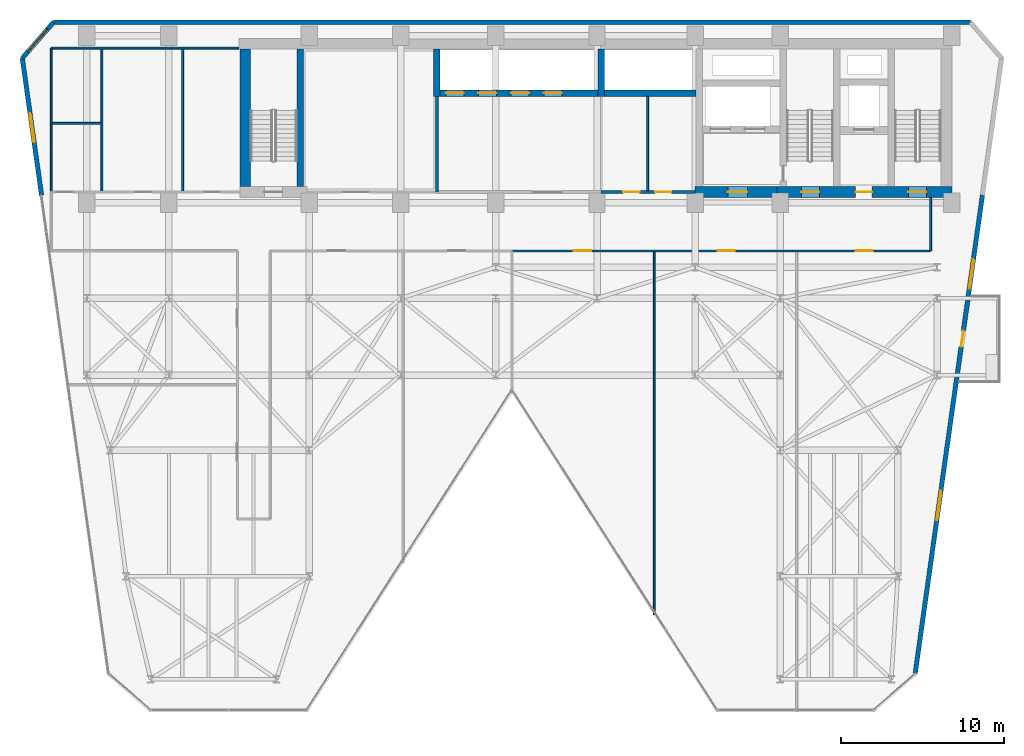
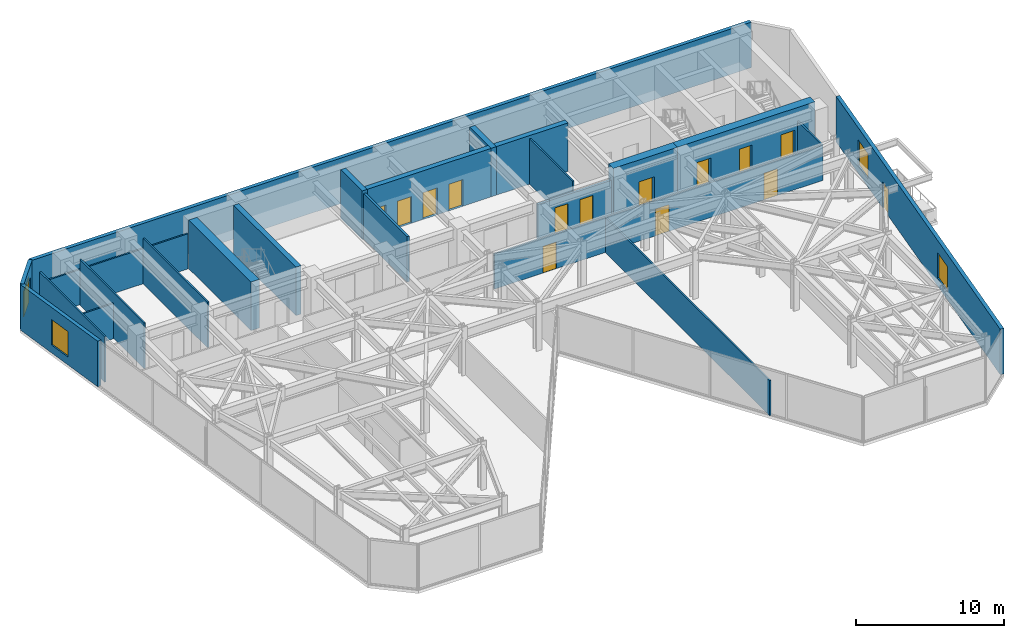
# One storey, part 22 of 26: 23 walls, 14 doors, 4 windows, 18 openings.
"""IFC4 building model written with IfcOpenShell, lengths in metres."""

from ifc_helpers import new_model, si_unit, direction, frame, frame_2d, origin, place, context, subcontext, project, spatial, rectangle, extrude, material, layer, layer_set, type_object, element, fill, save


model = new_model("IFC4")

# Units and contexts
model_context = context("Model", 3, precision=1e-05, world=origin(), true_north=direction((0.0, 1.0)))
body_context = subcontext(model_context, "Body", "Model", "MODEL_VIEW")
ifc_project = project(units=[si_unit("LENGTHUNIT", "METRE"), si_unit("AREAUNIT", "SQUARE_METRE"), si_unit("VOLUMEUNIT", "CUBIC_METRE"), si_unit("PLANEANGLEUNIT", "RADIAN"), si_unit("MASSUNIT", "GRAM", prefix="KILO")], contexts=[model_context])

# Site, building, storey
site_placement = place(None, origin())
site = spatial("IfcSite", under=ifc_project, at=site_placement, CompositionType="ELEMENT")
building_placement = place(site_placement, origin())
building = spatial("IfcBuilding", under=site, at=building_placement, Name="Kravanh Interchange Tower", CompositionType="ELEMENT")
storey_placement = place(building_placement, frame((0.0, 0.0, 112.0)))
storey = spatial("IfcBuildingStorey", under=building, at=storey_placement, Name="L26", CompositionType="ELEMENT", Elevation=112.0)

# Walls
ifc_material_1 = material(Name="Double Acoustic Gypsum Board and Mineral Wool")
ifc_layer_1 = layer(ifc_material_1, 0.1201171875)
ifc_layer_set_1 = layer_set([ifc_layer_1], Name="Acoustic Office Drywall Partition 120mm")
wall_type_1 = type_object("IfcWallType", Name="Acoustic Office Drywall Partition 120mm", PredefinedType="PARTITIONING", material=ifc_layer_set_1)
wall_1_placement = place(storey_placement, frame((47.89990234375, 38.068115234375, 0.0), z_axis=(0.0, 0.0, 1.0), x_axis=(0.0, 1.0, 0.0)))
element("IfcWall", 1, at=wall_1_placement, inside=storey, type_object=wall_type_1, Name="L26 Interior Partition 2", PredefinedType="PARTITIONING", context=body_context, shape_type="SweptSolid", body=[
    extrude(rectangle(XDim=5.77392578125, YDim=0.1201171875, at=frame_2d((2.886962890625, 0.0))), origin(), (0.0, 0.0, 1.0), 3.75),
])
wall_2_placement = place(storey_placement, frame((11.419921875, 38.0, 0.0), z_axis=(0.0, 0.0, 1.0), x_axis=(0.0, 1.0, 0.0)))
element("IfcWall", 2, at=wall_2_placement, inside=storey, type_object=wall_type_1, Name="L26 Restroom West Enclosure 7", PredefinedType="PARTITIONING", context=body_context, shape_type="SweptSolid", body=[
    extrude(rectangle(XDim=8.800048828125, YDim=0.1201171875, at=frame_2d((4.39990234375, 0.0))), origin(), (0.0, 0.0, 1.0), 3.75),
])
wall_3_placement = place(storey_placement, frame((11.419921875, 46.800048828125, 0.0), z_axis=(0.0, 0.0, 1.0), x_axis=(1.0, 0.0, 0.0)))
element("IfcWall", 3, at=wall_3_placement, inside=storey, type_object=wall_type_1, Name="L26 Restroom North Enclosure 8", PredefinedType="PARTITIONING", context=body_context, shape_type="SweptSolid", body=[
    extrude(rectangle(XDim=11.47998046875, YDim=0.1201171875, at=frame_2d((5.739990234375, 0.0))), origin(), (0.0, 0.0, 1.0), 2.89404296875),
])
for number, where, z_axis, x_axis, name in (
    (4, (14.52001953125, 38.068115234375, 0.0), (0.0, 0.0, 1.0), (0.0, 1.0, 0.0), "L26 Interior Partition 9"),
    (5, (19.449951171875, 38.068115234375, 0.0), (0.0, 0.0, 1.0), (0.0, 1.0, 0.0), "L26 Interior Partition 10"),
):
    element("IfcWall", number, at=place(storey_placement, frame(where, z_axis=z_axis, x_axis=x_axis)), inside=storey, type_object=wall_type_1, Name=name, PredefinedType="PARTITIONING", context=body_context, shape_type="SweptSolid", body=[
        extrude(rectangle(XDim=8.663818359375, YDim=0.1201171875, at=frame_2d((4.33203125, 0.0))), origin(), (0.0, 0.0, 1.0), 3.75),
    ])
wall_4_placement = place(storey_placement, frame((11.488037109375, 42.199951171875, 0.0), z_axis=(0.0, 0.0, 1.0), x_axis=(1.0, 0.0, 0.0)))
element("IfcWall", 6, at=wall_4_placement, inside=storey, type_object=wall_type_1, Name="L26 Interior Partition 11", PredefinedType="PARTITIONING", context=body_context, shape_type="SweptSolid", body=[
    extrude(rectangle(XDim=2.9638671875, YDim=0.1201171875, at=frame_2d((1.48193359375, 0.0))), origin(), (0.0, 0.0, 1.0), 2.89404296875),
])

# Wall, openings, doors
wall_5_placement = place(storey_placement, frame((39.60009765625, 34.39990234375, 0.0), z_axis=(0.0, 0.0, 1.0), x_axis=(1.0, 0.0, 0.0)))
wall_5 = element("IfcWall", 7, at=wall_5_placement, inside=storey, type_object=wall_type_1, Name="L26 Interior Partition 14", PredefinedType="PARTITIONING", context=body_context, shape_type="SweptSolid", body=[
    extrude(rectangle(XDim=25.599853515625, YDim=0.1201171875, at=frame_2d((12.7998046875, 0.0))), origin(), (0.0, 0.0, 1.0), 2.89404296875),
])
opening_1_placement = place(wall_5_placement, frame((3.784912109375, 0.0, 0.0)))
opening_1 = element("IfcOpeningElement", 8, at=opening_1_placement, cuts=wall_5, Name="Opening D-105", PredefinedType="OPENING", context=body_context, shape_type="SweptSolid", body=[
    extrude(rectangle(XDim=1.050048828125, YDim=2.199951171875, at=frame_2d((0.52490234375, 1.10009765625))), frame((0.0, 0.070068359375, 0.0), z_axis=(0.0, -1.0, 0.0), x_axis=(1.0, 0.0, 0.0)), (0.0, 0.0, 1.0), 0.14013671875),
])
opening_2_placement = place(wall_5_placement, frame((12.5703125, 0.0, 0.0)))
opening_2 = element("IfcOpeningElement", 9, at=opening_2_placement, cuts=wall_5, Name="Opening D-105", PredefinedType="OPENING", context=body_context, shape_type="SweptSolid", body=[
    extrude(rectangle(XDim=1.050048828125, YDim=2.199951171875, at=frame_2d((0.52490234375, 1.10009765625))), frame((0.0, 0.070068359375, 0.0), z_axis=(0.0, -1.0, 0.0), x_axis=(1.0, 0.0, 0.0)), (0.0, 0.0, 1.0), 0.14013671875),
])
opening_3_placement = place(wall_5_placement, frame((21.02001953125, 0.0, 0.0)))
opening_3 = element("IfcOpeningElement", 10, at=opening_3_placement, cuts=wall_5, Name="Opening D-105", PredefinedType="OPENING", context=body_context, shape_type="SweptSolid", body=[
    extrude(rectangle(XDim=1.050048828125, YDim=2.199951171875, at=frame_2d((0.52490234375, 1.10009765625))), frame((0.0, 0.070068359375, 0.0), z_axis=(0.0, -1.0, 0.0), x_axis=(1.0, 0.0, 0.0)), (0.0, 0.0, 1.0), 0.14013671875),
])
ifc_material_2 = material(Name="Acoustic Glazed Oak and Aluminium", Category="aluminium")
door_type_1 = type_object("IfcDoorType", Name="Office Workplace Door 1050x2200", OperationType="NOTDEFINED", PredefinedType="DOOR", material=ifc_material_2)
door_1_placement = place(opening_1_placement, origin())
door_1 = element("IfcDoor", 11, at=door_1_placement, inside=storey, type_object=door_type_1, Name="L26 Panorama Sky Lounge Door", OperationType="SINGLE_SWING_LEFT", OverallHeight=2.199951171875, OverallWidth=1.050048828125, PredefinedType="DOOR", context=body_context, shape_type="SweptSolid", body=[
    extrude(rectangle(XDim=1.050048828125, YDim=2.199951171875, at=frame_2d((0.52490234375, 1.10009765625))), frame((0.0, 0.02490234375, 0.0), z_axis=(0.0, -1.0, 0.0), x_axis=(1.0, 0.0, 0.0)), (0.0, 0.0, 1.0), 0.050048828125),
])
fill(opening_1, door_1)
door_2_placement = place(opening_2_placement, origin())
door_2 = element("IfcDoor", 12, at=door_2_placement, inside=storey, type_object=door_type_1, Name="L26 East Balcony Office Door", OperationType="SINGLE_SWING_RIGHT", OverallHeight=2.199951171875, OverallWidth=1.050048828125, PredefinedType="DOOR", context=body_context, shape_type="SweptSolid", body=[
    extrude(rectangle(XDim=1.050048828125, YDim=2.199951171875, at=frame_2d((0.52490234375, 1.10009765625))), frame((0.0, 0.02490234375, 0.0), z_axis=(0.0, -1.0, 0.0), x_axis=(1.0, 0.0, 0.0)), (0.0, 0.0, 1.0), 0.050048828125),
])
fill(opening_2, door_2)
door_3_placement = place(opening_3_placement, origin())
door_3 = element("IfcDoor", 13, at=door_3_placement, inside=storey, type_object=door_type_1, Name="L26 Hospitality Salon Lounge Door", OperationType="SINGLE_SWING_LEFT", OverallHeight=2.199951171875, OverallWidth=1.050048828125, PredefinedType="DOOR", context=body_context, shape_type="SweptSolid", body=[
    extrude(rectangle(XDim=1.050048828125, YDim=2.199951171875, at=frame_2d((0.52490234375, 1.10009765625))), frame((0.0, 0.02490234375, 0.0), z_axis=(0.0, -1.0, 0.0), x_axis=(1.0, 0.0, 0.0)), (0.0, 0.0, 1.0), 0.050048828125),
])
fill(opening_3, door_3)

# Walls
wall_6_placement = place(storey_placement, frame((65.199951171875, 34.39990234375, 0.0), z_axis=(0.0, 0.0, 1.0), x_axis=(0.0, 1.0, 0.0)))
element("IfcWall", 14, at=wall_6_placement, inside=storey, type_object=wall_type_1, Name="L26 Interior Partition 16", PredefinedType="PARTITIONING", context=body_context, shape_type="SweptSolid", body=[
    extrude(rectangle(XDim=3.26708984375, YDim=0.1201171875, at=frame_2d((1.633544921875, 0.0))), origin(), (0.0, 0.0, 1.0), 2.89404296875),
])
wall_7_placement = place(storey_placement, frame((48.300048828125, 12.15576171875, 0.0), z_axis=(0.0, 0.0, 1.0), x_axis=(0.0, 1.0, 0.0)))
element("IfcWall", 15, at=wall_7_placement, inside=storey, type_object=wall_type_1, Name="L26 Interior Partition 23", PredefinedType="PARTITIONING", context=body_context, shape_type="SweptSolid", body=[
    extrude(rectangle(XDim=22.17626953125, YDim=0.1201171875, at=frame_2d((11.088134765625, 0.0))), origin(), (0.0, 0.0, 1.0), 2.89404296875),
])

# Wall, openings, doors
ifc_material_3 = material(Name="Concrete C70/85", Category="concrete")
ifc_layer_2 = layer(ifc_material_3, 0.64990234375)
ifc_layer_set_2 = layer_set([ifc_layer_2], Name="Core Shear Wall Concrete C70/85 650mm")
wall_type_2 = type_object("IfcWallType", Name="Core Shear Wall Concrete C70/85 650mm", PredefinedType="SHEAR", material=ifc_layer_set_2)
wall_8_placement = place(storey_placement, frame((55.800048828125, 38.0, 0.0), z_axis=(0.0, 0.0, 1.0), x_axis=(1.0, 0.0, 0.0)))
wall_8 = element("IfcWall", 16, at=wall_8_placement, inside=storey, type_object=wall_type_2, Name="L26 East Core South Shear Wall", PredefinedType="SHEAR", context=body_context, shape_type="SweptSolid", body=[
    extrude(rectangle(XDim=10.699951171875, YDim=0.64990234375, at=frame_2d((5.35009765625, 0.0))), origin(), (0.0, 0.0, 1.0), 4.0),
])
opening_4_placement = place(wall_8_placement, frame((1.5, 0.0, 0.0)))
opening_4 = element("IfcOpeningElement", 17, at=opening_4_placement, cuts=wall_8, Name="Opening D-STAIR-110", PredefinedType="OPENING", context=body_context, shape_type="SweptSolid", body=[
    extrude(rectangle(XDim=1.10009765625, YDim=2.199951171875, at=frame_2d((0.550048828125, 1.10009765625))), frame((0.0, 0.3349609375, 0.0), z_axis=(0.0, -1.0, 0.0), x_axis=(1.0, 0.0, 0.0)), (0.0, 0.0, 1.0), 0.669921875),
])
opening_5_placement = place(wall_8_placement, frame((4.820068359375, 0.0, 0.0)))
opening_5 = element("IfcOpeningElement", 18, at=opening_5_placement, cuts=wall_8, Name="Opening D-HOTEL-100", PredefinedType="OPENING", context=body_context, shape_type="SweptSolid", body=[
    extrude(rectangle(XDim=1.0, YDim=2.14990234375, at=frame_2d((0.5, 1.074951171875))), frame((0.0, 0.3349609375, 0.0), z_axis=(0.0, -1.0, 0.0), x_axis=(1.0, 0.0, 0.0)), (0.0, 0.0, 1.0), 0.669921875),
])
opening_6_placement = place(wall_8_placement, frame((8.050048828125, 0.0, 0.0)))
opening_6 = element("IfcOpeningElement", 19, at=opening_6_placement, cuts=wall_8, Name="Opening D-STAIR-110", PredefinedType="OPENING", context=body_context, shape_type="SweptSolid", body=[
    extrude(rectangle(XDim=1.10009765625, YDim=2.199951171875, at=frame_2d((0.550048828125, 1.10009765625))), frame((0.0, 0.3349609375, 0.0), z_axis=(0.0, -1.0, 0.0), x_axis=(1.0, 0.0, 0.0)), (0.0, 0.0, 1.0), 0.669921875),
])
ifc_material_4 = material(Name="Structural Steel S355", Category="steel")
door_type_2 = type_object("IfcDoorType", Name="Fire-Rated Exit Stair Door 1100x2200", OperationType="NOTDEFINED", PredefinedType="DOOR", material=ifc_material_4)
door_4_placement = place(opening_4_placement, origin())
door_4 = element("IfcDoor", 20, at=door_4_placement, inside=storey, type_object=door_type_2, Name="L26 Exit Stair ST2 Door", OperationType="SINGLE_SWING_RIGHT", OverallHeight=2.199951171875, OverallWidth=1.10009765625, PredefinedType="DOOR", context=body_context, shape_type="SweptSolid", body=[
    extrude(rectangle(XDim=1.10009765625, YDim=2.199951171875, at=frame_2d((0.550048828125, 1.10009765625))), frame((0.0, 0.02490234375, 0.0), z_axis=(0.0, -1.0, 0.0), x_axis=(1.0, 0.0, 0.0)), (0.0, 0.0, 1.0), 0.050048828125),
])
fill(opening_4, door_4)
door_5_placement = place(opening_6_placement, origin())
door_5 = element("IfcDoor", 21, at=door_5_placement, inside=storey, type_object=door_type_2, Name="L26 Exit Stair ST1 Door", OperationType="SINGLE_SWING_RIGHT", OverallHeight=2.199951171875, OverallWidth=1.10009765625, PredefinedType="DOOR", context=body_context, shape_type="SweptSolid", body=[
    extrude(rectangle(XDim=1.10009765625, YDim=2.199951171875, at=frame_2d((0.550048828125, 1.10009765625))), frame((0.0, 0.02490234375, 0.0), z_axis=(0.0, -1.0, 0.0), x_axis=(1.0, 0.0, 0.0)), (0.0, 0.0, 1.0), 0.050048828125),
])
fill(opening_6, door_5)
ifc_material_5 = material(Name="Fire-Rated Solid Timber Leaf", Category="wood")
door_type_3 = type_object("IfcDoorType", Name="Fire-Rated Suite Entrance Door 1000x2150", OperationType="NOTDEFINED", PredefinedType="DOOR", material=ifc_material_5)
door_6_placement = place(opening_5_placement, origin())
door_6 = element("IfcDoor", 22, at=door_6_placement, inside=storey, type_object=door_type_3, Name="L26 Service Lift Lobby Door", OperationType="SINGLE_SWING_RIGHT", OverallHeight=2.14990234375, OverallWidth=1.0, PredefinedType="DOOR", context=body_context, shape_type="SweptSolid", body=[
    extrude(rectangle(XDim=1.0, YDim=2.14990234375, at=frame_2d((0.5, 1.074951171875))), frame((0.0, 0.02490234375, 0.0), z_axis=(0.0, -1.0, 0.0), x_axis=(1.0, 0.0, 0.0)), (0.0, 0.0, 1.0), 0.050048828125),
])
fill(opening_5, door_6)

# Wall, opening, door
wall_9_placement = place(storey_placement, frame((50.800048828125, 38.0, 0.0), z_axis=(0.0, 0.0, 1.0), x_axis=(1.0, 0.0, 0.0)))
wall_9 = element("IfcWall", 23, at=wall_9_placement, inside=storey, type_object=wall_type_2, Name="L26 Firefighting Lobby South Shear Wall", PredefinedType="SHEAR", context=body_context, shape_type="SweptSolid", body=[
    extrude(rectangle(XDim=5.0, YDim=0.64990234375, at=frame_2d((2.5, 0.0))), origin(), (0.0, 0.0, 1.0), 4.0),
])
opening_7_placement = place(wall_9_placement, frame((2.0, 0.0, 0.0)))
opening_7 = element("IfcOpeningElement", 24, at=opening_7_placement, cuts=wall_9, Name="Opening D-FSAE-120", PredefinedType="OPENING", context=body_context, shape_type="SweptSolid", body=[
    extrude(rectangle(XDim=1.199951171875, YDim=2.199951171875, at=frame_2d((0.60009765625, 1.10009765625))), frame((0.0, 0.3349609375, 0.0), z_axis=(0.0, -1.0, 0.0), x_axis=(1.0, 0.0, 0.0)), (0.0, 0.0, 1.0), 0.669921875),
])
ifc_material_6 = material(Name="Structural Steel S355", Category="steel")
door_type_4 = type_object("IfcDoorType", Name="Fire-Rated Refuge and FSAE Door 1200x2200", OperationType="NOTDEFINED", PredefinedType="DOOR", material=ifc_material_6)
door_7_placement = place(opening_7_placement, origin())
door_7 = element("IfcDoor", 25, at=door_7_placement, inside=storey, type_object=door_type_4, Name="L26 Firefighting Lobby Corridor Door", OperationType="SINGLE_SWING_RIGHT", OverallHeight=2.199951171875, OverallWidth=1.199951171875, PredefinedType="DOOR", context=body_context, shape_type="SweptSolid", body=[
    extrude(rectangle(XDim=1.199951171875, YDim=2.199951171875, at=frame_2d((0.60009765625, 1.10009765625))), frame((0.0, 0.02490234375, 0.0), z_axis=(0.0, -1.0, 0.0), x_axis=(1.0, 0.0, 0.0)), (0.0, 0.0, 1.0), 0.050048828125),
])
fill(opening_7, door_7)

# Walls
wall_10_placement = place(storey_placement, frame((23.27490234375, 38.324951171875, 0.0), z_axis=(0.0, 0.0, 1.0), x_axis=(0.0, 1.0, 0.0)))
element("IfcWall", 26, at=wall_10_placement, inside=storey, type_object=wall_type_2, Name="L26 Stair ST3 West Shear Wall", PredefinedType="SHEAR", context=body_context, shape_type="SweptSolid", body=[
    extrude(rectangle(XDim=8.425048828125, YDim=0.64990234375, at=frame_2d((4.21240234375, 0.0))), origin(), (0.0, 0.0, 1.0), 4.0),
])
ifc_material_7 = material(Name="Concrete C80/95", Category="concrete")
ifc_layer_3 = layer(ifc_material_7, 0.39990234375)
ifc_layer_set_3 = layer_set([ifc_layer_3], Name="Core Shear Wall Concrete C80/95 400mm")
wall_type_3 = type_object("IfcWallType", Name="Core Shear Wall Concrete C80/95 400mm", PredefinedType="SHEAR", material=ifc_layer_set_3)
wall_11_placement = place(storey_placement, frame((45.25, 44.050048828125, 0.0), z_axis=(0.0, 0.0, 1.0), x_axis=(1.0, 0.0, 0.0)))
element("IfcWall", 27, at=wall_11_placement, inside=storey, type_object=wall_type_3, Name="L26 High-Rise Lift Shaft South Wall", PredefinedType="SHEAR", context=body_context, shape_type="SweptSolid", body=[
    extrude(rectangle(XDim=5.60009765625, YDim=0.39990234375, at=frame_2d((2.800048828125, 0.0))), origin(), (0.0, 0.0, 1.0), 4.0),
])
wall_12_placement = place(storey_placement, frame((45.050048828125, 43.85009765625, 0.0), z_axis=(0.0, 0.0, 1.0), x_axis=(0.0, 1.0, 0.0)))
element("IfcWall", 28, at=wall_12_placement, inside=storey, type_object=wall_type_3, Name="L26 High-Rise Lift Shaft West Wall", PredefinedType="SHEAR", context=body_context, shape_type="SweptSolid", body=[
    extrude(rectangle(XDim=2.89990234375, YDim=0.39990234375, at=frame_2d((1.449951171875, 0.0))), origin(), (0.0, 0.0, 1.0), 4.0),
])

# Wall, openings, doors
wall_13_placement = place(storey_placement, frame((35.199951171875, 44.050048828125, 0.0), z_axis=(0.0, 0.0, 1.0), x_axis=(1.0, 0.0, 0.0)))
wall_13 = element("IfcWall", 29, at=wall_13_placement, inside=storey, type_object=wall_type_3, Name="L26 Mid-Rise Lift Shaft South Wall", PredefinedType="SHEAR", context=body_context, shape_type="SweptSolid", body=[
    extrude(rectangle(XDim=9.650146484375, YDim=0.39990234375, at=frame_2d((4.8251953125, 0.0))), origin(), (0.0, 0.0, 1.0), 4.0),
])
opening_8_placement = place(wall_13_placement, frame((0.35009765625, 0.0, 0.0)))
opening_8 = element("IfcOpeningElement", 30, at=opening_8_placement, cuts=wall_13, Name="Opening LD01", PredefinedType="OPENING", context=body_context, shape_type="SweptSolid", body=[
    extrude(rectangle(XDim=1.10009765625, YDim=2.199951171875, at=frame_2d((0.550048828125, 1.10009765625))), frame((0.0, 0.2099609375, 0.0), z_axis=(0.0, -1.0, 0.0), x_axis=(1.0, 0.0, 0.0)), (0.0, 0.0, 1.0), 0.419921875),
])
opening_9_placement = place(wall_13_placement, frame((2.35009765625, 0.0, 0.0)))
opening_9 = element("IfcOpeningElement", 31, at=opening_9_placement, cuts=wall_13, Name="Opening LD01", PredefinedType="OPENING", context=body_context, shape_type="SweptSolid", body=[
    extrude(rectangle(XDim=1.10009765625, YDim=2.199951171875, at=frame_2d((0.550048828125, 1.10009765625))), frame((0.0, 0.2099609375, 0.0), z_axis=(0.0, -1.0, 0.0), x_axis=(1.0, 0.0, 0.0)), (0.0, 0.0, 1.0), 0.419921875),
])
opening_10_placement = place(wall_13_placement, frame((4.35009765625, 0.0, 0.0)))
opening_10 = element("IfcOpeningElement", 32, at=opening_10_placement, cuts=wall_13, Name="Opening LD01", PredefinedType="OPENING", context=body_context, shape_type="SweptSolid", body=[
    extrude(rectangle(XDim=1.10009765625, YDim=2.199951171875, at=frame_2d((0.550048828125, 1.10009765625))), frame((0.0, 0.2099609375, 0.0), z_axis=(0.0, -1.0, 0.0), x_axis=(1.0, 0.0, 0.0)), (0.0, 0.0, 1.0), 0.419921875),
])
opening_11_placement = place(wall_13_placement, frame((6.35009765625, 0.0, 0.0)))
opening_11 = element("IfcOpeningElement", 33, at=opening_11_placement, cuts=wall_13, Name="Opening LD01", PredefinedType="OPENING", context=body_context, shape_type="SweptSolid", body=[
    extrude(rectangle(XDim=1.10009765625, YDim=2.199951171875, at=frame_2d((0.550048828125, 1.10009765625))), frame((0.0, 0.2099609375, 0.0), z_axis=(0.0, -1.0, 0.0), x_axis=(1.0, 0.0, 0.0)), (0.0, 0.0, 1.0), 0.419921875),
])
ifc_material_8 = material(Name="Stainless Steel 304", Category="steel")
door_type_5 = type_object("IfcDoorType", Name="Passenger Lift Sliding Landing Door 1100x2200", OperationType="DOUBLE_DOOR_SLIDING", PredefinedType="DOOR", material=ifc_material_8)
door_8_placement = place(opening_8_placement, origin())
door_8 = element("IfcDoor", 34, at=door_8_placement, inside=storey, type_object=door_type_5, Name="L26 Lift LP-M1 Landing Door", OperationType="DOUBLE_DOOR_SLIDING", OverallHeight=2.199951171875, OverallWidth=1.10009765625, PredefinedType="DOOR", context=body_context, shape_type="SweptSolid", body=[
    extrude(rectangle(XDim=1.10009765625, YDim=2.199951171875, at=frame_2d((0.550048828125, 1.10009765625))), frame((0.0, 0.02490234375, 0.0), z_axis=(0.0, -1.0, 0.0), x_axis=(1.0, 0.0, 0.0)), (0.0, 0.0, 1.0), 0.050048828125),
])
fill(opening_8, door_8)
door_9_placement = place(opening_9_placement, origin())
door_9 = element("IfcDoor", 35, at=door_9_placement, inside=storey, type_object=door_type_5, Name="L26 Lift LP-M2 Landing Door", OperationType="DOUBLE_DOOR_SLIDING", OverallHeight=2.199951171875, OverallWidth=1.10009765625, PredefinedType="DOOR", context=body_context, shape_type="SweptSolid", body=[
    extrude(rectangle(XDim=1.10009765625, YDim=2.199951171875, at=frame_2d((0.550048828125, 1.10009765625))), frame((0.0, 0.02490234375, 0.0), z_axis=(0.0, -1.0, 0.0), x_axis=(1.0, 0.0, 0.0)), (0.0, 0.0, 1.0), 0.050048828125),
])
fill(opening_9, door_9)
door_10_placement = place(opening_10_placement, origin())
door_10 = element("IfcDoor", 36, at=door_10_placement, inside=storey, type_object=door_type_5, Name="L26 Lift LP-M3 Landing Door", OperationType="DOUBLE_DOOR_SLIDING", OverallHeight=2.199951171875, OverallWidth=1.10009765625, PredefinedType="DOOR", context=body_context, shape_type="SweptSolid", body=[
    extrude(rectangle(XDim=1.10009765625, YDim=2.199951171875, at=frame_2d((0.550048828125, 1.10009765625))), frame((0.0, 0.02490234375, 0.0), z_axis=(0.0, -1.0, 0.0), x_axis=(1.0, 0.0, 0.0)), (0.0, 0.0, 1.0), 0.050048828125),
])
fill(opening_10, door_10)
door_11_placement = place(opening_11_placement, origin())
door_11 = element("IfcDoor", 37, at=door_11_placement, inside=storey, type_object=door_type_5, Name="L26 Lift LP-M4 Landing Door", OperationType="DOUBLE_DOOR_SLIDING", OverallHeight=2.199951171875, OverallWidth=1.10009765625, PredefinedType="DOOR", context=body_context, shape_type="SweptSolid", body=[
    extrude(rectangle(XDim=1.10009765625, YDim=2.199951171875, at=frame_2d((0.550048828125, 1.10009765625))), frame((0.0, 0.02490234375, 0.0), z_axis=(0.0, -1.0, 0.0), x_axis=(1.0, 0.0, 0.0)), (0.0, 0.0, 1.0), 0.050048828125),
])
fill(opening_11, door_11)

# Walls
wall_14_placement = place(storey_placement, frame((35.0, 43.85009765625, 0.0), z_axis=(0.0, 0.0, 1.0), x_axis=(0.0, 1.0, 0.0)))
element("IfcWall", 38, at=wall_14_placement, inside=storey, type_object=wall_type_3, Name="L26 Mid-Rise Lift Shaft West Wall", PredefinedType="SHEAR", context=body_context, shape_type="SweptSolid", body=[
    extrude(rectangle(XDim=2.89990234375, YDim=0.39990234375, at=frame_2d((1.449951171875, 0.0))), origin(), (0.0, 0.0, 1.0), 4.0),
])
wall_15_placement = place(storey_placement, frame((26.64990234375, 38.324951171875, 0.0), z_axis=(0.0, 0.0, 1.0), x_axis=(0.0, 1.0, 0.0)))
element("IfcWall", 39, at=wall_15_placement, inside=storey, type_object=wall_type_3, Name="L26 Stair ST3 East Shear Wall", PredefinedType="SHEAR", context=body_context, shape_type="SweptSolid", body=[
    extrude(rectangle(XDim=8.425048828125, YDim=0.39990234375, at=frame_2d((4.21240234375, 0.0))), origin(), (0.0, 0.0, 1.0), 4.0),
])

# Wall, opening, window
ifc_material_9 = material(Name="Insulated Precast Concrete C40/50 with Bronze Cladding", Category="concrete")
ifc_layer_4 = layer(ifc_material_9, 0.280029296875)
ifc_layer_set_4 = layer_set([ifc_layer_4], Name="Exterior Insulated Concrete C40/50 Bronze Spandrel Wall 280mm")
wall_type_4 = type_object("IfcWallType", Name="Exterior Insulated Concrete C40/50 Bronze Spandrel Wall 280mm", PredefinedType="STANDARD", material=ifc_layer_set_4)
wall_16_placement = place(storey_placement, frame((10.824951171875, 37.800048828125, 0.0), z_axis=(0.0, 0.0, 1.0), x_axis=(-0.139180610108, 0.990267013371, 0.0)))
wall_16 = element("IfcWall", 40, at=wall_16_placement, inside=storey, type_object=wall_type_4, Name="L26 Exterior Wall 1", PredefinedType="STANDARD", context=body_context, shape_type="SweptSolid", body=[
    extrude(rectangle(XDim=8.46728515625, YDim=0.280029296875, at=frame_2d((4.233642578125, 0.0))), origin(), (0.0, 0.0, 1.0), 3.75),
])
opening_12_placement = place(wall_16_placement, frame((3.273193359375, 0.0, 0.64990234375)))
opening_12 = element("IfcOpeningElement", 41, at=opening_12_placement, cuts=wall_16, Name="Opening WN-180X210", PredefinedType="OPENING", context=body_context, shape_type="SweptSolid", body=[
    extrude(rectangle(XDim=1.800048828125, YDim=2.10009765625, at=frame_2d((0.89990234375, 1.050048828125))), frame((0.0, 0.14990234375, 0.0), z_axis=(0.0, -1.0, 0.0), x_axis=(1.0, 0.0, 0.0)), (0.0, 0.0, 1.0), 0.300048828125),
])
ifc_material_10 = material(Name="Thermally Broken Bronze Aluminium and Low-E Glass", Category="aluminium")
window_type = type_object("IfcWindowType", Name="Tower Pier Window 1800x2100", PartitioningType="SINGLE_PANEL", PredefinedType="WINDOW", material=ifc_material_10)
window_1_placement = place(opening_12_placement, origin())
window_1 = element("IfcWindow", 42, at=window_1_placement, inside=storey, type_object=window_type, Name="L26 Corner Window 1", OverallHeight=2.10009765625, OverallWidth=1.800048828125, PartitioningType="SINGLE_PANEL", PredefinedType="WINDOW", context=body_context, shape_type="SweptSolid", body=[
    extrude(rectangle(XDim=1.800048828125, YDim=2.10009765625, at=frame_2d((0.89990234375, 1.050048828125))), frame((0.0, 0.030029296875, 0.0), z_axis=(0.0, -1.0, 0.0), x_axis=(1.0, 0.0, 0.0)), (0.0, 0.0, 1.0), 0.06005859375),
])
fill(opening_12, window_1)

wall_17_placement = place(storey_placement, frame((9.646484375, 46.184814453125, 0.0), z_axis=(0.0, 0.0, 1.0), x_axis=(0.656070644076, 0.754699483226, 0.0)))
wall_17 = element("IfcWall", 43, at=wall_17_placement, inside=storey, type_object=wall_type_4, Name="L26 Exterior Wall 2", PredefinedType="STANDARD", context=body_context, shape_type="SweptSolid", body=[
    extrude(rectangle(XDim=2.908447265625, YDim=0.280029296875, at=frame_2d((1.4541015625, 0.0))), origin(), (0.0, 0.0, 1.0), 3.75),
])
opening_13_placement = place(wall_17_placement, frame((0.541015625, 0.0, 0.64990234375)))
opening_13 = element("IfcOpeningElement", 44, at=opening_13_placement, cuts=wall_17, Name="Opening WN-180X210", PredefinedType="OPENING", context=body_context, shape_type="SweptSolid", body=[
    extrude(rectangle(XDim=1.800048828125, YDim=2.10009765625, at=frame_2d((0.89990234375, 1.050048828125))), frame((0.0, 0.14990234375, 0.0), z_axis=(0.0, -1.0, 0.0), x_axis=(1.0, 0.0, 0.0)), (0.0, 0.0, 1.0), 0.300048828125),
])
window_2_placement = place(opening_13_placement, origin())
window_2 = element("IfcWindow", 45, at=window_2_placement, inside=storey, type_object=window_type, Name="L26 Corner Window 2", OverallHeight=2.10009765625, OverallWidth=1.800048828125, PartitioningType="SINGLE_PANEL", PredefinedType="WINDOW", context=body_context, shape_type="SweptSolid", body=[
    extrude(rectangle(XDim=1.800048828125, YDim=2.10009765625, at=frame_2d((0.89990234375, 1.050048828125))), frame((0.0, 0.030029296875, 0.0), z_axis=(0.0, -1.0, 0.0), x_axis=(1.0, 0.0, 0.0)), (0.0, 0.0, 1.0), 0.06005859375),
])
fill(opening_13, window_2)

# Wall
wall_18_placement = place(storey_placement, frame((11.5546875, 48.3798828125, 0.0), z_axis=(0.0, 0.0, 1.0), x_axis=(1.0, 0.0, 0.0)))
element("IfcWall", 46, at=wall_18_placement, inside=storey, type_object=wall_type_4, Name="L26 Exterior Wall 3", PredefinedType="STANDARD", context=body_context, shape_type="SweptSolid", body=[
    extrude(rectangle(XDim=56.090576171875, YDim=0.280029296875, at=frame_2d((28.04541015625, 0.0))), origin(), (0.0, 0.0, 1.0), 3.75),
])

# Wall, openings, door, windows
wall_19_placement = place(storey_placement, frame((68.375, 37.800048828125, 0.0), z_axis=(0.0, 0.0, 1.0), x_axis=(-0.13917001236, -0.990268502811, 0.0)))
wall_19 = element("IfcWall", 47, at=wall_19_placement, inside=storey, type_object=wall_type_4, Name="L26 Exterior Wall 6", PredefinedType="STANDARD", context=body_context, shape_type="SweptSolid", body=[
    extrude(rectangle(XDim=29.548828125, YDim=0.280029296875, at=frame_2d((14.7744140625, 0.0))), origin(), (0.0, 0.0, 1.0), 3.75),
])
opening_14_placement = place(wall_19_placement, frame((8.359619140625, 0.0, 0.0)))
opening_14 = element("IfcOpeningElement", 48, at=opening_14_placement, cuts=wall_19, Name="Opening ED-BAL100", PredefinedType="OPENING", context=body_context, shape_type="SweptSolid", body=[
    extrude(rectangle(XDim=1.0, YDim=2.14990234375, at=frame_2d((0.5, 1.074951171875))), frame((0.0, 0.14990234375, 0.0), z_axis=(0.0, -1.0, 0.0), x_axis=(1.0, 0.0, 0.0)), (0.0, 0.0, 1.0), 0.300048828125),
])
opening_15_placement = place(wall_19_placement, frame((3.97119140625, 0.0, 0.64990234375)))
opening_15 = element("IfcOpeningElement", 49, at=opening_15_placement, cuts=wall_19, Name="Opening WN-180X210", PredefinedType="OPENING", context=body_context, shape_type="SweptSolid", body=[
    extrude(rectangle(XDim=1.800048828125, YDim=2.10009765625, at=frame_2d((0.89990234375, 1.050048828125))), frame((0.0, 0.14990234375, 0.0), z_axis=(0.0, -1.0, 0.0), x_axis=(1.0, 0.0, 0.0)), (0.0, 0.0, 1.0), 0.300048828125),
])
opening_16_placement = place(wall_19_placement, frame((18.255859375, 0.0, 0.64990234375)))
opening_16 = element("IfcOpeningElement", 50, at=opening_16_placement, cuts=wall_19, Name="Opening WN-180X210", PredefinedType="OPENING", context=body_context, shape_type="SweptSolid", body=[
    extrude(rectangle(XDim=1.800048828125, YDim=2.10009765625, at=frame_2d((0.89990234375, 1.050048828125))), frame((0.0, 0.14990234375, 0.0), z_axis=(0.0, -1.0, 0.0), x_axis=(1.0, 0.0, 0.0)), (0.0, 0.0, 1.0), 0.300048828125),
])
ifc_material_11 = material(Name="Thermally Broken Bronze Aluminium and Laminated Glass", Category="aluminium")
door_type_6 = type_object("IfcDoorType", Name="Balcony Glazed Door 1000x2150", OperationType="NOTDEFINED", PredefinedType="DOOR", material=ifc_material_11)
door_12_placement = place(opening_14_placement, origin())
door_12 = element("IfcDoor", 51, at=door_12_placement, inside=storey, type_object=door_type_6, Name="L26 E Tree Balcony Access Door", OperationType="SINGLE_SWING_LEFT", OverallHeight=2.14990234375, OverallWidth=1.0, PredefinedType="DOOR", context=body_context, shape_type="SweptSolid", body=[
    extrude(rectangle(XDim=1.0, YDim=2.14990234375, at=frame_2d((0.5, 1.074951171875))), frame((0.0, 0.02490234375, 0.0), z_axis=(0.0, -1.0, 0.0), x_axis=(1.0, 0.0, 0.0)), (0.0, 0.0, 1.0), 0.050048828125),
])
fill(opening_14, door_12)
window_3_placement = place(opening_15_placement, origin())
window_3 = element("IfcWindow", 52, at=window_3_placement, inside=storey, type_object=window_type, Name="L26 Facade Window 6A", OverallHeight=2.10009765625, OverallWidth=1.800048828125, PartitioningType="SINGLE_PANEL", PredefinedType="WINDOW", context=body_context, shape_type="SweptSolid", body=[
    extrude(rectangle(XDim=1.800048828125, YDim=2.10009765625, at=frame_2d((0.89990234375, 1.050048828125))), frame((0.0, 0.030029296875, 0.0), z_axis=(0.0, -1.0, 0.0), x_axis=(1.0, 0.0, 0.0)), (0.0, 0.0, 1.0), 0.06005859375),
])
fill(opening_15, window_3)
window_4_placement = place(opening_16_placement, origin())
window_4 = element("IfcWindow", 53, at=window_4_placement, inside=storey, type_object=window_type, Name="L26 Facade Window 6B", OverallHeight=2.10009765625, OverallWidth=1.800048828125, PartitioningType="SINGLE_PANEL", PredefinedType="WINDOW", context=body_context, shape_type="SweptSolid", body=[
    extrude(rectangle(XDim=1.800048828125, YDim=2.10009765625, at=frame_2d((0.89990234375, 1.050048828125))), frame((0.0, 0.030029296875, 0.0), z_axis=(0.0, -1.0, 0.0), x_axis=(1.0, 0.0, 0.0)), (0.0, 0.0, 1.0), 0.06005859375),
])
fill(opening_16, window_4)

# Wall, openings, doors
ifc_material_12 = material(Name="Autoclaved Aerated Concrete C30/37 Blockwork", Category="masonry")
ifc_layer_5 = layer(ifc_material_12, 0.179931640625)
ifc_layer_set_5 = layer_set([ifc_layer_5], Name="Fire-Rated Lobby and Corridor Wall Concrete C30/37 180mm")
wall_type_5 = type_object("IfcWallType", Name="Fire-Rated Lobby and Corridor Wall Concrete C30/37 180mm", PredefinedType="STANDARD", material=ifc_layer_set_5)
wall_20_placement = place(storey_placement, frame((45.050048828125, 38.0, 0.0), z_axis=(0.0, 0.0, 1.0), x_axis=(1.0, 0.0, 0.0)))
wall_20 = element("IfcWall", 54, at=wall_20_placement, inside=storey, type_object=wall_type_5, Name="L26 Core South Enclosure 1", PredefinedType="STANDARD", context=body_context, shape_type="SweptSolid", body=[
    extrude(rectangle(XDim=5.75, YDim=0.179931640625, at=frame_2d((2.875, 0.0))), origin(), (0.0, 0.0, 1.0), 2.89404296875),
])
opening_17_placement = place(wall_20_placement, frame((1.35009765625, 0.0, 0.0)))
opening_17 = element("IfcOpeningElement", 55, at=opening_17_placement, cuts=wall_20, Name="Opening D-HOTEL-100", PredefinedType="OPENING", context=body_context, shape_type="SweptSolid", body=[
    extrude(rectangle(XDim=1.0, YDim=2.14990234375, at=frame_2d((0.5, 1.074951171875))), frame((0.0, 0.10009765625, 0.0), z_axis=(0.0, -1.0, 0.0), x_axis=(1.0, 0.0, 0.0)), (0.0, 0.0, 1.0), 0.199951171875),
])
opening_18_placement = place(wall_20_placement, frame((3.300048828125, 0.0, 0.0)))
opening_18 = element("IfcOpeningElement", 56, at=opening_18_placement, cuts=wall_20, Name="Opening D-HOTEL-100", PredefinedType="OPENING", context=body_context, shape_type="SweptSolid", body=[
    extrude(rectangle(XDim=1.0, YDim=2.14990234375, at=frame_2d((0.5, 1.074951171875))), frame((0.0, 0.10009765625, 0.0), z_axis=(0.0, -1.0, 0.0), x_axis=(1.0, 0.0, 0.0)), (0.0, 0.0, 1.0), 0.199951171875),
])
door_13_placement = place(opening_17_placement, origin())
door_13 = element("IfcDoor", 57, at=door_13_placement, inside=storey, type_object=door_type_3, Name="L26 Core Switchroom Door", OperationType="SINGLE_SWING_RIGHT", OverallHeight=2.14990234375, OverallWidth=1.0, PredefinedType="DOOR", context=body_context, shape_type="SweptSolid", body=[
    extrude(rectangle(XDim=1.0, YDim=2.14990234375, at=frame_2d((0.5, 1.074951171875))), frame((0.0, 0.02490234375, 0.0), z_axis=(0.0, -1.0, 0.0), x_axis=(1.0, 0.0, 0.0)), (0.0, 0.0, 1.0), 0.050048828125),
])
fill(opening_17, door_13)
door_14_placement = place(opening_18_placement, origin())
door_14 = element("IfcDoor", 58, at=door_14_placement, inside=storey, type_object=door_type_3, Name="L26 Core Archive Door", OperationType="SINGLE_SWING_LEFT", OverallHeight=2.14990234375, OverallWidth=1.0, PredefinedType="DOOR", context=body_context, shape_type="SweptSolid", body=[
    extrude(rectangle(XDim=1.0, YDim=2.14990234375, at=frame_2d((0.5, 1.074951171875))), frame((0.0, 0.02490234375, 0.0), z_axis=(0.0, -1.0, 0.0), x_axis=(1.0, 0.0, 0.0)), (0.0, 0.0, 1.0), 0.050048828125),
])
fill(opening_18, door_14)

# Wall
wall_21_placement = place(storey_placement, frame((35.0, 38.0, 0.0), z_axis=(0.0, 0.0, 1.0), x_axis=(0.0, 1.0, 0.0)))
element("IfcWall", 59, at=wall_21_placement, inside=storey, type_object=wall_type_5, Name="L26 Interior Partition 4", PredefinedType="STANDARD", context=body_context, shape_type="SweptSolid", body=[
    extrude(rectangle(XDim=5.85009765625, YDim=0.179931640625, at=frame_2d((2.925048828125, 0.0))), origin(), (0.0, 0.0, 1.0), 3.75),
])

save(model, "model.ifc")
